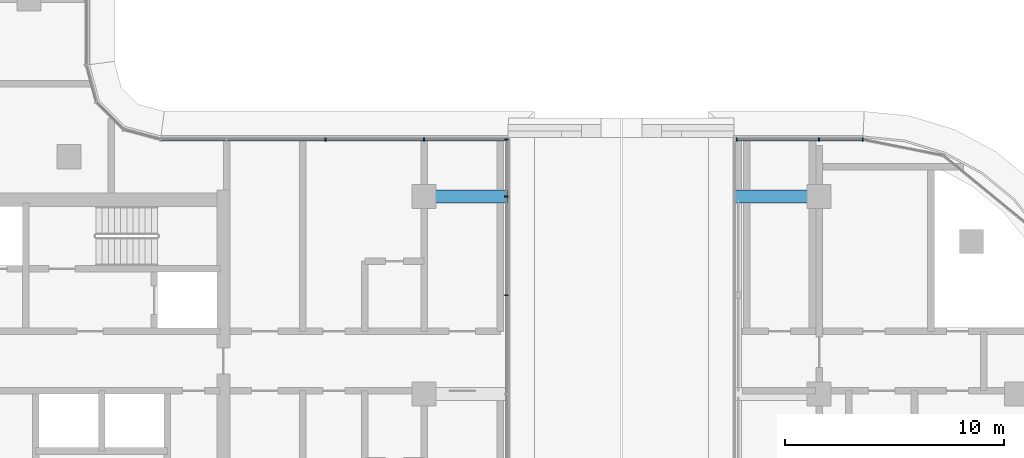
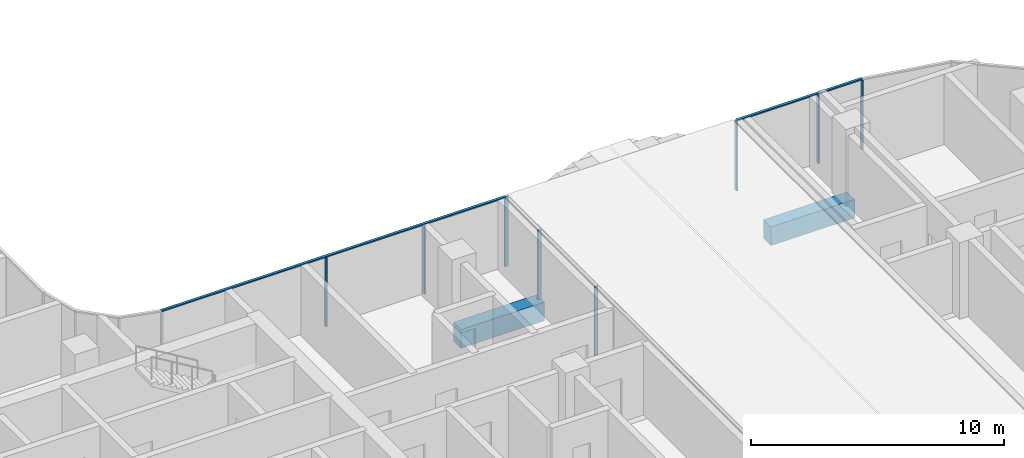
# One storey, part 4 of 23: 10 members, 2 beams, 3 elements without a shape of their own.
"""IFC4 building model written with IfcOpenShell, lengths in metres."""

from ifc_helpers import new_model, si_unit, direction, frame, origin, origin_2d, place, context, subcontext, project, spatial, rectangle, extrude, material, material_profile, profile_set, type_object, element, aggregate, save


model = new_model("IFC4")

# Units and contexts
model_context = context("Model", 3, precision=1e-05, world=origin(), true_north=direction((0.0, 1.0)))
body_context = subcontext(model_context, "Body", "Model", "MODEL_VIEW")
ifc_project = project(units=[si_unit("LENGTHUNIT", "METRE"), si_unit("AREAUNIT", "SQUARE_METRE"), si_unit("VOLUMEUNIT", "CUBIC_METRE"), si_unit("PLANEANGLEUNIT", "RADIAN"), si_unit("MASSUNIT", "GRAM", prefix="KILO")], contexts=[model_context])

# Site, building, storey
site_placement = place(None, origin())
site = spatial("IfcSite", under=ifc_project, at=site_placement, CompositionType="ELEMENT")
building_placement = place(site_placement, origin())
building = spatial("IfcBuilding", under=site, at=building_placement, Name="Ogive Portal Towers", CompositionType="ELEMENT")
storey_placement = place(building_placement, frame((0.0, 0.0, 179.199951171875)))
storey = spatial("IfcBuildingStorey", under=building, at=storey_placement, Name="L44", CompositionType="ELEMENT", Elevation=179.199951171875)

# Beams
ifc_material_1 = material(Name="Concrete C50/60", Category="concrete")
ifc_material_profile_1 = material_profile(ifc_material_1, rectangle(XDim=0.60009765625, YDim=0.89990234375, at=origin_2d()), Name="RC 600x900")
ifc_profile_set_1 = profile_set([ifc_material_profile_1], Name="Concrete C50/60")
beam_type = type_object("IfcBeamType", Name="BEAM RC 600x900", PredefinedType="BEAM", material=ifc_profile_set_1)
for number, where, z_axis, x_axis, name in (
    (1, (67.5, 39.5, -0.449951171875), (1.0, 0.0, 0.0), (0.0, 1.0, 0.0), "Portal edge beam W 39.5"),
    (2, (85.5, 39.5, -0.449951171875), (-1.0, 0.0, 0.0), (0.0, -1.0, 0.0), "Portal edge beam E 39.5"),
):
    element("IfcBeam", number, at=place(storey_placement, frame(where, z_axis=z_axis, x_axis=x_axis)), inside=storey, type_object=beam_type, Name=name, PredefinedType="BEAM", context=body_context, shape_type="SweptSolid", body=[
        extrude(rectangle(XDim=0.60009765625, YDim=0.89990234375, at=origin_2d()), origin(), (0.0, 0.0, 1.0), 3.830078125),
    ])

# Curtain wall, members
ifc_material_2 = material(Name="Glass, clear low-iron insulated glazing", Category="glass")
curtain_wall_type = type_object("IfcCurtainWallType", Name="CW FRONT RIBBON 4500", PredefinedType="NOTDEFINED", material=ifc_material_2)
curtain_wall_1_placement = place(storey_placement, origin())
curtain_wall_1 = element("IfcCurtainWall", 3, at=curtain_wall_1_placement, inside=storey, type_object=curtain_wall_type, Name="A:L44:f09:cw0", PredefinedType="NOTDEFINED")
ifc_material_3 = material(Name="Aluminium 6063 anodised", Category="aluminium")
ifc_material_profile_2 = material_profile(ifc_material_3, rectangle(XDim=0.159912109375, YDim=0.06005859375, at=origin_2d()), Name="AL 60x160")
ifc_profile_set_2 = profile_set([ifc_material_profile_2], Name="Aluminium 6063 anodised")
member_type_1 = type_object("IfcMemberType", Name="CW MULLION 60x160", PredefinedType="MULLION", material=ifc_profile_set_2)
member_1_placement = place(storey_placement, frame((71.25, 35.0, 0.0), z_axis=(0.0, 0.0, 1.0), x_axis=(-1.0, 0.0, 0.0)))
member_1 = element("IfcMember", 4, at=member_1_placement, type_object=member_type_1, Name="mullion", PredefinedType="MULLION", context=body_context, shape_type="SweptSolid", body=[
    extrude(rectangle(XDim=0.159912109375, YDim=0.06005859375, at=origin_2d()), origin(), (0.0, 0.0, 1.0), 3.340087890625),
])
member_2_placement = place(storey_placement, frame((71.25, 39.5, 0.0), z_axis=(0.0, 0.0, 1.0), x_axis=(-1.0, 0.0, 0.0)))
member_2 = element("IfcMember", 5, at=member_2_placement, type_object=member_type_1, Name="mullion", PredefinedType="MULLION", context=body_context, shape_type="SweptSolid", body=[
    extrude(rectangle(XDim=0.159912109375, YDim=0.06005859375, at=origin_2d()), origin(), (0.0, 0.0, 1.0), 3.340087890625),
])
member_3_placement = place(storey_placement, frame((71.25, 42.10009765625, 0.0), z_axis=(0.0, 0.0, 1.0), x_axis=(-1.0, 0.0, 0.0)))
member_3 = element("IfcMember", 6, at=member_3_placement, type_object=member_type_1, Name="mullion", PredefinedType="MULLION", context=body_context, shape_type="SweptSolid", body=[
    extrude(rectangle(XDim=0.159912109375, YDim=0.06005859375, at=origin_2d()), origin(), (0.0, 0.0, 1.0), 3.340087890625),
])
aggregate(curtain_wall_1, [member_1, member_2, member_3])

curtain_wall_2_placement = place(storey_placement, origin())
curtain_wall_2 = element("IfcCurtainWall", 7, at=curtain_wall_2_placement, inside=storey, type_object=curtain_wall_type, Name="A:L44:f10:cw0", PredefinedType="NOTDEFINED")
member_4_placement = place(storey_placement, frame((67.5, 42.10009765625, 0.0), z_axis=(0.0, 0.0, 1.0), x_axis=(0.0, -1.0, 0.0)))
member_4 = element("IfcMember", 8, at=member_4_placement, type_object=member_type_1, Name="mullion", PredefinedType="MULLION", context=body_context, shape_type="SweptSolid", body=[
    extrude(rectangle(XDim=0.159912109375, YDim=0.06005859375, at=origin_2d()), origin(), (0.0, 0.0, 1.0), 3.340087890625),
])
member_5_placement = place(storey_placement, frame((63.0, 42.10009765625, 0.0), z_axis=(0.0, 0.0, 1.0), x_axis=(0.0, -1.0, 0.0)))
member_5 = element("IfcMember", 9, at=member_5_placement, type_object=member_type_1, Name="mullion", PredefinedType="MULLION", context=body_context, shape_type="SweptSolid", body=[
    extrude(rectangle(XDim=0.159912109375, YDim=0.06005859375, at=origin_2d()), origin(), (0.0, 0.0, 1.0), 3.340087890625),
])

curtain_wall_3_placement = place(storey_placement, origin())
curtain_wall_3 = element("IfcCurtainWall", 10, at=curtain_wall_3_placement, inside=storey, type_object=curtain_wall_type, Name="A:L44:f33:cw0", PredefinedType="NOTDEFINED")
member_6_placement = place(storey_placement, frame((87.4921875, 42.10009765625, 0.0), z_axis=(0.0, 0.0, 1.0), x_axis=(0.0, -1.0, 0.0)))
member_6 = element("IfcMember", 11, at=member_6_placement, type_object=member_type_1, Name="mullion", PredefinedType="MULLION", context=body_context, shape_type="SweptSolid", body=[
    extrude(rectangle(XDim=0.159912109375, YDim=0.06005859375, at=origin_2d()), origin(), (0.0, 0.0, 1.0), 3.340087890625),
])
member_7_placement = place(storey_placement, frame((85.5, 42.10009765625, 0.0), z_axis=(0.0, 0.0, 1.0), x_axis=(0.0, -1.0, 0.0)))
member_7 = element("IfcMember", 12, at=member_7_placement, type_object=member_type_1, Name="mullion", PredefinedType="MULLION", context=body_context, shape_type="SweptSolid", body=[
    extrude(rectangle(XDim=0.159912109375, YDim=0.06005859375, at=origin_2d()), origin(), (0.0, 0.0, 1.0), 3.340087890625),
])
member_8_placement = place(storey_placement, frame((81.75, 42.10009765625, 0.0), z_axis=(0.0, 0.0, 1.0), x_axis=(0.0, -1.0, 0.0)))
member_8 = element("IfcMember", 13, at=member_8_placement, type_object=member_type_1, Name="mullion", PredefinedType="MULLION", context=body_context, shape_type="SweptSolid", body=[
    extrude(rectangle(XDim=0.159912109375, YDim=0.06005859375, at=origin_2d()), origin(), (0.0, 0.0, 1.0), 3.340087890625),
])

# Member
ifc_material_profile_3 = material_profile(ifc_material_3, rectangle(XDim=0.1201171875, YDim=0.06005859375, at=origin_2d()), Name="AL 120x60")
ifc_profile_set_3 = profile_set([ifc_material_profile_3], Name="Aluminium 6063 anodised")
member_type_2 = type_object("IfcMemberType", Name="CW TRANSOM 60x120", PredefinedType="USERDEFINED", material=ifc_profile_set_3)
member_9_placement = place(storey_placement, frame((71.25, 42.10009765625, 3.3701171875), z_axis=(-1.0, 0.0, 0.0), x_axis=(0.0, -1.0, 0.0)))
member_9 = element("IfcMember", 14, at=member_9_placement, type_object=member_type_2, Name="transom", ObjectType="TRANSOM", PredefinedType="USERDEFINED", context=body_context, shape_type="SweptSolid", body=[
    extrude(rectangle(XDim=0.1201171875, YDim=0.06005859375, at=origin_2d()), origin(), (0.0, 0.0, 1.0), 15.760498046875),
])

aggregate(curtain_wall_2, [member_9, member_4, member_5])

member_10_placement = place(storey_placement, frame((87.4921875, 42.10009765625, 3.3701171875), z_axis=(-1.0, 0.0, 0.0), x_axis=(0.0, -1.0, 0.0)))
member_10 = element("IfcMember", 15, at=member_10_placement, type_object=member_type_2, Name="transom", ObjectType="TRANSOM", PredefinedType="USERDEFINED", context=body_context, shape_type="SweptSolid", body=[
    extrude(rectangle(XDim=0.1201171875, YDim=0.06005859375, at=origin_2d()), origin(), (0.0, 0.0, 1.0), 5.7421875),
])

aggregate(curtain_wall_3, [member_10, member_6, member_7, member_8])

save(model, "model.ifc")
